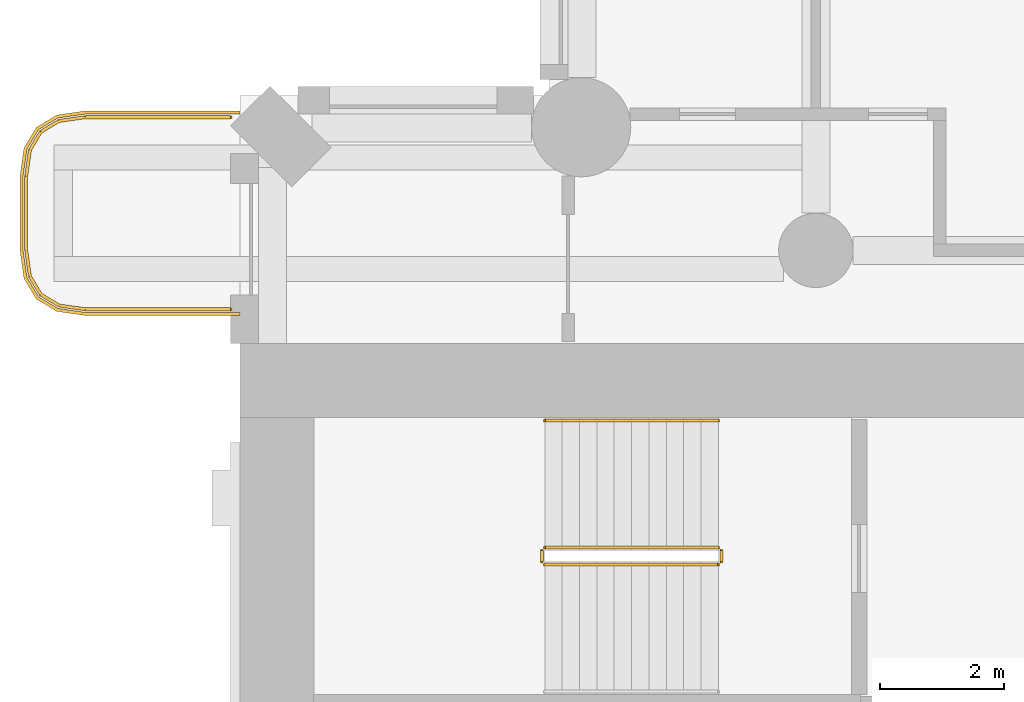
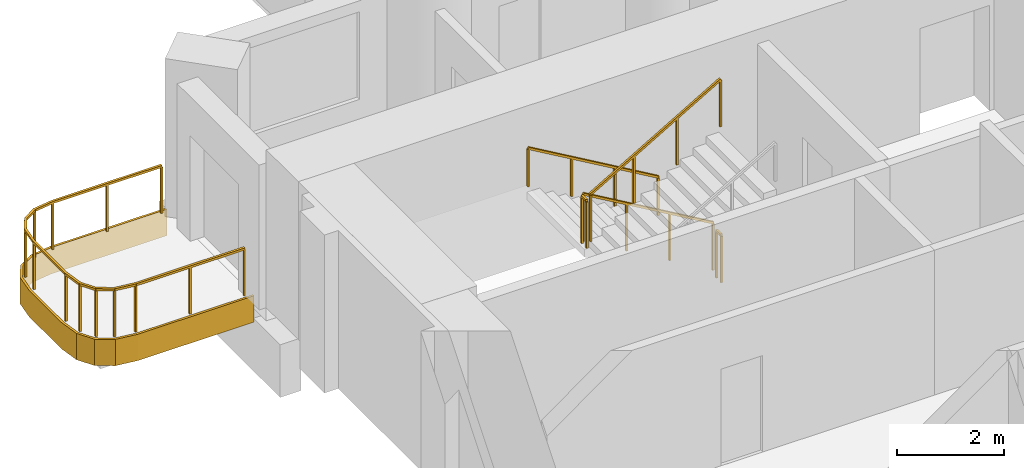
# One storey, part 17 of 20: 6 railings, 1 covering.
"""IFC4 building model written with IfcOpenShell, lengths in metres."""

import ifcopenshell
import ifcopenshell.guid

model = None  # the IFC model being written
_history = None  # IfcOwnerHistory: only IFC2X3 demands one
_inside = {}  # id of a spatial element -> (the spatial element, [elements in it])
_under = {}  # id of a project, library or spatial element -> (it, [spatial elements below it])
_declared = {}  # id of a project -> (the project, [libraries it declares])
_typed = {}  # id of a type object -> (the type object, [elements of that type])
_made_of = {}  # id of a material, layer set ... -> (it, [elements and type objects made of it])


def new_model(schema):
    """Start an empty IFC model of exactly this schema.

    Asked for "IFC4X3", IfcOpenShell would pick the latest addendum, in which some entities
    have other attributes; the version numbers below select the first issue.
    IFC2X3 requires an IfcOwnerHistory on every rooted entity: one is made here for all.
    """
    global model, _history
    if schema == "IFC4X3":
        model = ifcopenshell.file(schema_version=(4, 3, 0, 0))
    else:
        model = ifcopenshell.file(schema=schema)
    _inside.clear()
    _under.clear()
    _declared.clear()
    _typed.clear()
    _made_of.clear()
    _history = None
    if model.schema == "IFC2X3":
        org = make("IfcOrganization", Name="unknown")
        user = make(
            "IfcPersonAndOrganization",
            ThePerson=make("IfcPerson", FamilyName="unknown"),
            TheOrganization=org,
        )
        app = make(
            "IfcApplication",
            ApplicationDeveloper=org,
            Version="unknown",
            ApplicationFullName="unknown",
            ApplicationIdentifier="unknown",
        )
        _history = make(
            "IfcOwnerHistory",
            OwningUser=user,
            OwningApplication=app,
            ChangeAction="ADDED",
            CreationDate=0,
        )
    return model


def make(cls, **values):
    """One entity of the class cls with the attributes given. An attribute that is None is left unset."""
    return model.create_entity(
        cls, **{name: value for name, value in values.items() if value is not None}
    )


def rooted(cls, **values):
    """An entity with a GlobalId (a new one), such as an element, a storey or a relation."""
    return make(cls, GlobalId=ifcopenshell.guid.new(), OwnerHistory=_history, **values)


def si_unit(unit_type, name, prefix=None):
    """IfcSIUnit, for example si_unit("LENGTHUNIT", "METRE", prefix="MILLI")."""
    return make("IfcSIUnit", UnitType=unit_type, Prefix=prefix, Name=name)


def assignment(units):
    """IfcUnitAssignment: the units of a project."""
    return None if units is None else make("IfcUnitAssignment", Units=units)


def point(xyz):
    """IfcCartesianPoint."""
    return None if xyz is None else make("IfcCartesianPoint", Coordinates=xyz)


def direction(xyz):
    """IfcDirection."""
    return None if xyz is None else make("IfcDirection", DirectionRatios=xyz)


def frame(location, z_axis=None, x_axis=None):
    """IfcAxis2Placement3D, a coordinate frame: its origin and axes. An axis left out is left unset."""
    return make(
        "IfcAxis2Placement3D",
        Location=point(location),
        Axis=direction(z_axis),
        RefDirection=direction(x_axis),
    )


def frame_2d(location, x_axis=None):
    """IfcAxis2Placement2D, a coordinate frame in the plane: its origin and x axis."""
    return make(
        "IfcAxis2Placement2D", Location=point(location), RefDirection=direction(x_axis)
    )


def origin():
    """The frame at (0, 0, 0) with its axes left unset."""
    return frame((0.0, 0.0, 0.0))


def origin_2d():
    """The frame at (0, 0) in the plane with its x axis left unset."""
    return frame_2d((0.0, 0.0))


def place(relative_to, where):
    """IfcLocalPlacement: puts the frame where relative to a parent placement (None: the world)."""
    return make(
        "IfcLocalPlacement", PlacementRelTo=relative_to, RelativePlacement=where
    )


def context(
    kind, dimensions, precision=None, world=None, true_north=None, identifier=None
):
    """IfcGeometricRepresentationContext, for example the 3D "Model" context."""
    return make(
        "IfcGeometricRepresentationContext",
        ContextIdentifier=identifier,
        ContextType=kind,
        CoordinateSpaceDimension=dimensions,
        Precision=precision,
        WorldCoordinateSystem=world,
        TrueNorth=true_north,
    )


def subcontext(parent, identifier, kind, view, scale=None):
    """IfcGeometricRepresentationSubContext, for example "Body" below "Model"."""
    return make(
        "IfcGeometricRepresentationSubContext",
        ContextIdentifier=identifier,
        ContextType=kind,
        ParentContext=parent,
        TargetScale=scale,
        TargetView=view,
    )


def project(units=None, contexts=None):
    """IfcProject with its units and contexts."""
    return rooted(
        "IfcProject",
        Name="project",
        RepresentationContexts=contexts,
        UnitsInContext=assignment(units),
    )


def spatial(cls, under=None, at=None, **own):
    """A site, building, storey or space (cls), placed at a placement, below another one or the project."""
    s = rooted(cls, ObjectPlacement=at, **own)
    if under is not None:
        _under.setdefault(under.id(), (under, []))[1].append(s)
    return s


def polyline(points):
    """IfcPolyline through the points."""
    return make("IfcPolyline", Points=[point(p) for p in points])


def profile(cls, at=None, kind="AREA", **sizes):
    """A parametric profile (cls). Its sizes go by their IFC names, for example OverallWidth=200.0."""
    return make(cls, ProfileType=kind, Position=at, **sizes)


def rectangle(**sizes):
    """IfcRectangleProfileDef."""
    return profile("IfcRectangleProfileDef", **sizes)


def outline(outer, holes=None, kind="AREA"):
    """IfcArbitraryClosedProfileDef: a profile drawn as a closed curve; with holes, ...WithVoids."""
    if holes is None:
        return make("IfcArbitraryClosedProfileDef", ProfileType=kind, OuterCurve=outer)
    return make(
        "IfcArbitraryProfileDefWithVoids",
        ProfileType=kind,
        OuterCurve=outer,
        InnerCurves=holes,
    )


def extrude(swept, where, along, depth):
    """IfcExtrudedAreaSolid: the profile swept, set in the frame where, extruded along a direction by depth."""
    return make(
        "IfcExtrudedAreaSolid",
        SweptArea=swept,
        Position=where,
        ExtrudedDirection=direction(along),
        Depth=depth,
    )


def shape(context_of_items, identifier, shape_type, items):
    """IfcShapeRepresentation: the items that make up one representation, for example the "Body"."""
    return make(
        "IfcShapeRepresentation",
        ContextOfItems=context_of_items,
        RepresentationIdentifier=identifier,
        RepresentationType=shape_type,
        Items=items,
    )


def material(Name=None, Category=None):
    """IfcMaterial."""
    return make("IfcMaterial", Name=Name, Category=Category)


def layer(
    of_material, thickness, ventilated=None, Name=None, Category=None, Priority=None
):
    """IfcMaterialLayer: one layer of a wall or slab, of a material (None: an air gap)."""
    return make(
        "IfcMaterialLayer",
        Material=of_material,
        LayerThickness=thickness,
        IsVentilated=ventilated,
        Name=Name,
        Category=Category,
        Priority=Priority,
    )


def layer_set(layers, Name=None):
    """IfcMaterialLayerSet."""
    return make("IfcMaterialLayerSet", MaterialLayers=layers, LayerSetName=Name)


def made_of(thing, what):
    """Note that an element or type object is made of a material, layer set ...; save() writes the relation."""
    if what is not None:
        _made_of.setdefault(what.id(), (what, []))[1].append(thing)
    return thing


def type_object(cls, material=None, **own):
    """A type object (cls), such as IfcWallType, which elements share."""
    return made_of(rooted(cls, **own), material)


def element(
    cls,
    number,
    at=None,
    inside=None,
    cuts=None,
    type_object=None,
    material=None,
    context=None,
    identifier="Body",
    shape_type=None,
    held_by="IfcProductDefinitionShape",
    body=None,
    shapes=None,
    **own,
):
    """One element of the class cls, such as IfcWall. Its Tag is "e" and its number.

    at: its placement. inside: the storey or other place that contains it. cuts: it is an
    opening in that element (IfcRelVoidsElement). A single representation is given by context,
    identifier, shape_type and body (its items); several are given by shapes. held_by: the class
    of the entity that holds the representations. save() writes the other relations.
    """
    e = rooted(cls, Tag="e%d" % number, ObjectPlacement=at, **own)
    if body is not None:
        shapes = [shape(context, identifier, shape_type, body)]
    if shapes is not None:
        e.Representation = make(held_by, Representations=shapes)
    if inside is not None:
        _inside.setdefault(inside.id(), (inside, []))[1].append(e)
    if cuts is not None:
        rooted(
            "IfcRelVoidsElement", RelatingBuildingElement=cuts, RelatedOpeningElement=e
        )
    if type_object is not None:
        _typed.setdefault(type_object.id(), (type_object, []))[1].append(e)
    return made_of(e, material)


def aggregate(whole, parts):
    """IfcRelAggregates: a whole, such as a stair, and the parts it consists of."""
    return rooted("IfcRelAggregates", RelatingObject=whole, RelatedObjects=parts)


def save(model, path):
    """Write the relations noted so far, then the file.

    IfcRelAggregates (storeys below a building ...), IfcRelContainedInSpatialStructure (elements
    in a storey), IfcRelDefinesByType, IfcRelAssociatesMaterial and IfcRelDeclares: one each for
    every whole, place, type object, material and project.
    """
    for whole, parts in _under.values():
        aggregate(whole, parts)
    for where, things in _inside.values():
        rooted(
            "IfcRelContainedInSpatialStructure",
            RelatedElements=things,
            RelatingStructure=where,
        )
    for kind, things in _typed.values():
        rooted("IfcRelDefinesByType", RelatedObjects=things, RelatingType=kind)
    for what, things in _made_of.values():
        rooted("IfcRelAssociatesMaterial", RelatedObjects=things, RelatingMaterial=what)
    for by, libraries in _declared.values():
        rooted("IfcRelDeclares", RelatingContext=by, RelatedDefinitions=libraries)
    model.write(path)


model = new_model("IFC4")

# Units and contexts
model_context = context("Model", 3, precision=1e-05, world=origin(), true_north=direction((0.0, 1.0)))
body_context = subcontext(model_context, "Body", "Model", "MODEL_VIEW")
ifc_project = project(units=[si_unit("LENGTHUNIT", "METRE"), si_unit("AREAUNIT", "SQUARE_METRE"), si_unit("VOLUMEUNIT", "CUBIC_METRE"), si_unit("PLANEANGLEUNIT", "RADIAN"), si_unit("MASSUNIT", "GRAM", prefix="KILO")], contexts=[model_context])

# Site, building, storey
site_placement = place(None, origin())
site = spatial("IfcSite", under=ifc_project, at=site_placement, CompositionType="ELEMENT")
building_placement = place(site_placement, origin())
building = spatial("IfcBuilding", under=site, at=building_placement, Name="Cypress Arch Tower", CompositionType="ELEMENT")
storey_placement = place(building_placement, frame((0.0, 0.0, 62.699951171875)))
storey = spatial("IfcBuildingStorey", under=building, at=storey_placement, Name="L09", CompositionType="ELEMENT", Elevation=62.699951171875)

# Covering
ifc_material_1 = material(Name="White powder-coated aluminium fascia", Category="aluminium")
ifc_layer = layer(ifc_material_1, 0.050048828125)
ifc_layer_set = layer_set([ifc_layer], Name="Balcony fascia BF50")
covering_type = type_object("IfcCoveringType", Name="Balcony fascia BF50", PredefinedType="CLADDING", material=ifc_layer_set)
covering_placement = place(storey_placement, frame((0.0, 0.0, -0.599853515625)))
element("IfcCovering", 1, at=covering_placement, inside=storey, type_object=covering_type, Name="Balcony fascia L09-A00W0", PredefinedType="CLADDING", context=body_context, shape_type="SweptSolid", body=[
    extrude(outline(polyline([(-32.503662109375, 16.449951171875), (-32.95458984375, 16.514404296875), (-33.286376953125, 16.713623046875), (-33.485595703125, 17.04541015625), (-33.550048828125, 17.496337890625), (-33.550048828125, 18.70361328125), (-33.485595703125, 19.154541015625), (-33.286376953125, 19.486328125), (-32.95458984375, 19.685546875), (-32.503662109375, 19.75), (-30.0009765625, 19.75), (-30.0009765625, 19.699951171875), (-32.5, 19.699951171875), (-32.9375, 19.637451171875), (-33.25, 19.449951171875), (-33.4375, 19.137451171875), (-33.5, 18.699951171875), (-33.5, 17.5), (-33.4375, 17.0625), (-33.25, 16.75), (-32.9375, 16.5625), (-32.5, 16.5), (-30.0009765625, 16.5), (-30.0009765625, 16.449951171875), (-32.503662109375, 16.449951171875)])), origin(), (0.0, 0.0, 1.0), 0.599853515625),
])

# Railings
ifc_material_2 = material(Name="Powder-coated steel posts and rods, 100 mm clear between rods", Category="steel")
railing_type_1 = type_object("IfcRailingType", Name="Balcony guard GR1100", PredefinedType="GUARDRAIL", material=ifc_material_2)
railing_1_placement = place(storey_placement, frame((-30.14990234375, 16.550048828125, 0.0)))
element("IfcRailing", 2, at=railing_1_placement, inside=storey, type_object=railing_type_1, Name="Balcony guard L09-A00W0", PredefinedType="GUARDRAIL", context=body_context, shape_type="SweptSolid", body=[
    extrude(rectangle(XDim=0.050048828125, YDim=0.050048828125, at=origin_2d()), frame((0.0, 0.0, 1.0751953125), z_axis=(-1.0, 0.0, 0.0), x_axis=(0.0, -1.0, 0.0)), (0.0, 0.0, 1.0), 2.346435546875),
    extrude(rectangle(XDim=0.050048828125, YDim=0.050048828125, at=origin_2d()), frame((-2.346435546875, 0.0, 1.0751953125), z_axis=(-0.989960888959, 0.141341566184, 0.0), x_axis=(-0.141341566184, -0.989960888959, 0.0)), (0.0, 0.0, 1.0), 0.428466796875),
    extrude(rectangle(XDim=0.050048828125, YDim=0.050048828125, at=origin_2d()), frame((-2.7705078125, 0.060546875, 1.0751953125), z_axis=(-0.857681904839, 0.514180659021, 0.0), x_axis=(-0.514180659021, -0.857681904839, 0.0)), (0.0, 0.0, 1.0), 0.341796875),
    extrude(rectangle(XDim=0.050048828125, YDim=0.050048828125, at=origin_2d()), frame((-3.063720703125, 0.236328125, 1.0751953125), z_axis=(-0.514180659021, 0.857681904839, 0.0), x_axis=(-0.857681904839, -0.514180659021, 0.0)), (0.0, 0.0, 1.0), 0.341796875),
    extrude(rectangle(XDim=0.050048828125, YDim=0.050048828125, at=origin_2d()), frame((-3.239501953125, 0.529541015625, 1.0751953125), z_axis=(-0.141341566184, 0.989960888959, 0.0), x_axis=(-0.989960888959, -0.141341566184, 0.0)), (0.0, 0.0, 1.0), 0.428466796875),
    extrude(rectangle(XDim=0.050048828125, YDim=0.050048828125, at=origin_2d()), frame((-3.300048828125, 0.95361328125, 1.0751953125), z_axis=(0.0, 1.0, 0.0), x_axis=(-1.0, 0.0, 0.0)), (0.0, 0.0, 1.0), 1.19287109375),
    extrude(rectangle(XDim=0.050048828125, YDim=0.050048828125, at=origin_2d()), frame((-3.300048828125, 2.146484375, 1.0751953125), z_axis=(0.141421356237, 0.989949493661, 0.0), x_axis=(-0.989949493661, 0.141421356237, 0.0)), (0.0, 0.0, 1.0), 0.42822265625),
    extrude(rectangle(XDim=0.050048828125, YDim=0.050048828125, at=origin_2d()), frame((-3.239501953125, 2.5703125, 1.0751953125), z_axis=(0.514180659021, 0.857681904839, 0.0), x_axis=(-0.857681904839, 0.514180659021, 0.0)), (0.0, 0.0, 1.0), 0.341796875),
    extrude(rectangle(XDim=0.050048828125, YDim=0.050048828125, at=origin_2d()), frame((-3.063720703125, 2.863525390625, 1.0751953125), z_axis=(0.857681904839, 0.514180659021, 0.0), x_axis=(-0.514180659021, 0.857681904839, 0.0)), (0.0, 0.0, 1.0), 0.341796875),
    extrude(rectangle(XDim=0.050048828125, YDim=0.050048828125, at=origin_2d()), frame((-2.7705078125, 3.039306640625, 1.0751953125), z_axis=(0.989960888959, 0.141341566184, 0.0), x_axis=(-0.141341566184, 0.989960888959, 0.0)), (0.0, 0.0, 1.0), 0.428466796875),
    extrude(rectangle(XDim=0.050048828125, YDim=0.050048828125, at=origin_2d()), frame((-2.346435546875, 3.099853515625, 1.0751953125), z_axis=(1.0, 0.0, 0.0), x_axis=(0.0, 1.0, 0.0)), (0.0, 0.0, 1.0), 2.346435546875),
    extrude(rectangle(XDim=0.0400390625, YDim=0.0400390625, at=origin_2d()), origin(), (0.0, 0.0, 1.0), 1.050048828125),
    extrude(rectangle(XDim=0.0400390625, YDim=0.0400390625, at=origin_2d()), frame((-1.17333984375, 0.0, 0.0)), (0.0, 0.0, 1.0), 1.050048828125),
    extrude(rectangle(XDim=0.0400390625, YDim=0.0400390625, at=origin_2d()), frame((-2.346435546875, 0.0, 0.0)), (0.0, 0.0, 1.0), 1.050048828125),
    extrude(rectangle(XDim=0.0400390625, YDim=0.0400390625, at=origin_2d()), frame((-2.7705078125, 0.060546875, 0.0)), (0.0, 0.0, 1.0), 1.050048828125),
    extrude(rectangle(XDim=0.0400390625, YDim=0.0400390625, at=origin_2d()), frame((-3.063720703125, 0.236328125, 0.0)), (0.0, 0.0, 1.0), 1.050048828125),
    extrude(rectangle(XDim=0.0400390625, YDim=0.0400390625, at=origin_2d()), frame((-3.239501953125, 0.529541015625, 0.0)), (0.0, 0.0, 1.0), 1.050048828125),
    extrude(rectangle(XDim=0.0400390625, YDim=0.0400390625, at=origin_2d()), frame((-3.300048828125, 0.95361328125, 0.0)), (0.0, 0.0, 1.0), 1.050048828125),
    extrude(rectangle(XDim=0.0400390625, YDim=0.0400390625, at=origin_2d()), frame((-3.300048828125, 2.146484375, 0.0)), (0.0, 0.0, 1.0), 1.050048828125),
    extrude(rectangle(XDim=0.0400390625, YDim=0.0400390625, at=origin_2d()), frame((-3.239501953125, 2.5703125, 0.0)), (0.0, 0.0, 1.0), 1.050048828125),
    extrude(rectangle(XDim=0.0400390625, YDim=0.0400390625, at=origin_2d()), frame((-3.063720703125, 2.863525390625, 0.0)), (0.0, 0.0, 1.0), 1.050048828125),
    extrude(rectangle(XDim=0.0400390625, YDim=0.0400390625, at=origin_2d()), frame((-2.7705078125, 3.039306640625, 0.0)), (0.0, 0.0, 1.0), 1.050048828125),
    extrude(rectangle(XDim=0.0400390625, YDim=0.0400390625, at=origin_2d()), frame((-2.346435546875, 3.099853515625, 0.0)), (0.0, 0.0, 1.0), 1.050048828125),
    extrude(rectangle(XDim=0.0400390625, YDim=0.0400390625, at=origin_2d()), frame((-1.17333984375, 3.099853515625, 0.0)), (0.0, 0.0, 1.0), 1.050048828125),
    extrude(rectangle(XDim=0.0400390625, YDim=0.0400390625, at=origin_2d()), frame((0.0, 3.099853515625, 0.0)), (0.0, 0.0, 1.0), 1.050048828125),
])
ifc_material_3 = material(Name="Black powder-coated steel square bar 48 mm", Category="steel")
railing_type_2 = type_object("IfcRailingType", Name="Stair handrail HR1", PredefinedType="HANDRAIL", material=ifc_material_3)
railing_2_placement = place(storey_placement, frame((-22.27490234375, 14.75, 0.16357421875)))
element("IfcRailing", 3, at=railing_2_placement, inside=storey, type_object=railing_type_2, Name="L09 B stair handrail 1", PredefinedType="HANDRAIL", context=body_context, shape_type="SweptSolid", body=[
    extrude(rectangle(XDim=0.048095703125, YDim=0.048095703125, at=origin_2d()), frame((0.0, 0.0, 0.8759765625), z_axis=(-0.863360870873, 0.0, 0.504586966384), x_axis=(0.0, -1.0, 0.0)), (0.0, 0.0, 1.0), 3.2431640625),
    extrude(rectangle(XDim=0.0419921875, YDim=0.0419921875, at=origin_2d()), origin(), (0.0, 0.0, 1.0), 0.851806640625),
    extrude(rectangle(XDim=0.0419921875, YDim=0.0419921875, at=origin_2d()), frame((-0.933349609375, 0.0, 0.54541015625)), (0.0, 0.0, 1.0), 0.851806640625),
    extrude(rectangle(XDim=0.0419921875, YDim=0.0419921875, at=origin_2d()), frame((-1.86669921875, 0.0, 1.091064453125)), (0.0, 0.0, 1.0), 0.851806640625),
    extrude(rectangle(XDim=0.0419921875, YDim=0.0419921875, at=origin_2d()), frame((-2.800048828125, 0.0, 1.636474609375)), (0.0, 0.0, 1.0), 0.851806640625),
])
ifc_material_4 = material(Name="Black powder-coated steel balusters", Category="steel")
railing_type_3 = type_object("IfcRailingType", Name="Stair well guard G1", PredefinedType="GUARDRAIL", material=ifc_material_4)
railing_3_placement = place(storey_placement, frame((-22.27490234375, 12.699951171875, 0.16357421875)))
element("IfcRailing", 4, at=railing_3_placement, inside=storey, type_object=railing_type_3, Name="L09 B stair guard 1", PredefinedType="GUARDRAIL", context=body_context, shape_type="SweptSolid", body=[
    extrude(rectangle(XDim=0.048095703125, YDim=0.048095703125, at=origin_2d()), frame((0.0, 0.0, 1.076171875), z_axis=(-0.863360870873, 0.0, 0.504586966384), x_axis=(0.0, -1.0, 0.0)), (0.0, 0.0, 1.0), 3.2431640625),
    extrude(rectangle(XDim=0.0419921875, YDim=0.0419921875, at=origin_2d()), origin(), (0.0, 0.0, 1.0), 1.052001953125),
    extrude(rectangle(XDim=0.0419921875, YDim=0.0419921875, at=origin_2d()), frame((-0.933349609375, 0.0, 0.54541015625)), (0.0, 0.0, 1.0), 1.052001953125),
    extrude(rectangle(XDim=0.0419921875, YDim=0.0419921875, at=origin_2d()), frame((-1.86669921875, 0.0, 1.091064453125)), (0.0, 0.0, 1.0), 1.052001953125),
    extrude(rectangle(XDim=0.0419921875, YDim=0.0419921875, at=origin_2d()), frame((-2.800048828125, 0.0, 1.636474609375)), (0.0, 0.0, 1.0), 1.052001953125),
])
railing_4_placement = place(storey_placement, frame((-25.125, 12.64990234375, 1.800048828125)))
element("IfcRailing", 5, at=railing_4_placement, inside=storey, type_object=railing_type_3, Name="L09 B stair guard 2", PredefinedType="GUARDRAIL", context=body_context, shape_type="SweptSolid", body=[
    extrude(rectangle(XDim=0.048095703125, YDim=0.048095703125, at=origin_2d()), frame((0.0, 0.0, 1.076171875), z_axis=(0.0, -1.0, 0.0), x_axis=(1.0, 0.0, 0.0)), (0.0, 0.0, 1.0), 0.1748046875),
    extrude(rectangle(XDim=0.0419921875, YDim=0.0419921875, at=origin_2d()), origin(), (0.0, 0.0, 1.0), 1.052001953125),
    extrude(rectangle(XDim=0.0419921875, YDim=0.0419921875, at=origin_2d()), frame((0.0, -0.1748046875, 0.0)), (0.0, 0.0, 1.0), 1.052001953125),
])
railing_5_placement = place(storey_placement, frame((-25.074951171875, 12.425048828125, 1.963623046875)))
element("IfcRailing", 6, at=railing_5_placement, inside=storey, type_object=railing_type_3, Name="L09 B stair guard 3", PredefinedType="GUARDRAIL", context=body_context, shape_type="SweptSolid", body=[
    extrude(rectangle(XDim=0.048095703125, YDim=0.048095703125, at=origin_2d()), frame((0.0, 0.0, 1.076171875), z_axis=(0.863360870873, 0.0, 0.504586966384), x_axis=(0.0, 1.0, 0.0)), (0.0, 0.0, 1.0), 3.2431640625),
    extrude(rectangle(XDim=0.0419921875, YDim=0.0419921875, at=origin_2d()), origin(), (0.0, 0.0, 1.0), 1.052001953125),
    extrude(rectangle(XDim=0.0419921875, YDim=0.0419921875, at=origin_2d()), frame((0.933349609375, 0.0, 0.54541015625)), (0.0, 0.0, 1.0), 1.052001953125),
    extrude(rectangle(XDim=0.0419921875, YDim=0.0419921875, at=origin_2d()), frame((1.86669921875, 0.0, 1.091064453125)), (0.0, 0.0, 1.0), 1.052001953125),
    extrude(rectangle(XDim=0.0419921875, YDim=0.0419921875, at=origin_2d()), frame((2.800048828125, 0.0, 1.636474609375)), (0.0, 0.0, 1.0), 1.052001953125),
])
railing_6_placement = place(storey_placement, frame((-22.22509765625, 12.64990234375, 0.0)))
element("IfcRailing", 7, at=railing_6_placement, inside=storey, type_object=railing_type_3, Name="L09 B stair guard 4", PredefinedType="GUARDRAIL", context=body_context, shape_type="SweptSolid", body=[
    extrude(rectangle(XDim=0.048095703125, YDim=0.048095703125, at=origin_2d()), frame((0.0, 0.0, 1.076171875), z_axis=(0.0, -1.0, 0.0), x_axis=(1.0, 0.0, 0.0)), (0.0, 0.0, 1.0), 0.1748046875),
    extrude(rectangle(XDim=0.0419921875, YDim=0.0419921875, at=origin_2d()), origin(), (0.0, 0.0, 1.0), 1.052001953125),
    extrude(rectangle(XDim=0.0419921875, YDim=0.0419921875, at=origin_2d()), frame((0.0, -0.1748046875, 0.0)), (0.0, 0.0, 1.0), 1.052001953125),
])

save(model, "model.ifc")
